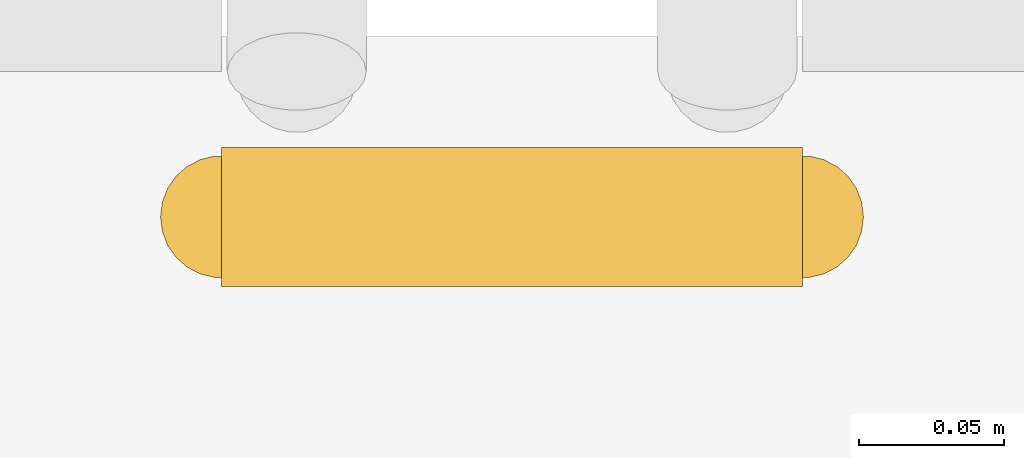
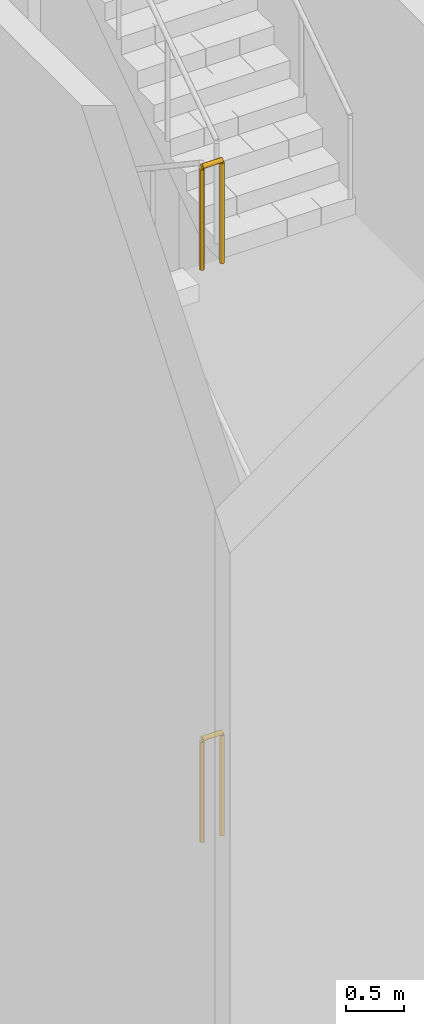
# One storey, part 32 of 52: 2 railings.
"""IFC4 building model written with IfcOpenShell, lengths in metres."""

import ifcopenshell
import ifcopenshell.guid

model = None  # the IFC model being written
_history = None  # IfcOwnerHistory: only IFC2X3 demands one
_inside = {}  # id of a spatial element -> (the spatial element, [elements in it])
_under = {}  # id of a project, library or spatial element -> (it, [spatial elements below it])
_declared = {}  # id of a project -> (the project, [libraries it declares])
_typed = {}  # id of a type object -> (the type object, [elements of that type])
_made_of = {}  # id of a material, layer set ... -> (it, [elements and type objects made of it])


def new_model(schema):
    """Start an empty IFC model of exactly this schema.

    Asked for "IFC4X3", IfcOpenShell would pick the latest addendum, in which some entities
    have other attributes; the version numbers below select the first issue.
    IFC2X3 requires an IfcOwnerHistory on every rooted entity: one is made here for all.
    """
    global model, _history
    if schema == "IFC4X3":
        model = ifcopenshell.file(schema_version=(4, 3, 0, 0))
    else:
        model = ifcopenshell.file(schema=schema)
    _inside.clear()
    _under.clear()
    _declared.clear()
    _typed.clear()
    _made_of.clear()
    _history = None
    if model.schema == "IFC2X3":
        org = make("IfcOrganization", Name="unknown")
        user = make(
            "IfcPersonAndOrganization",
            ThePerson=make("IfcPerson", FamilyName="unknown"),
            TheOrganization=org,
        )
        app = make(
            "IfcApplication",
            ApplicationDeveloper=org,
            Version="unknown",
            ApplicationFullName="unknown",
            ApplicationIdentifier="unknown",
        )
        _history = make(
            "IfcOwnerHistory",
            OwningUser=user,
            OwningApplication=app,
            ChangeAction="ADDED",
            CreationDate=0,
        )
    return model


def make(cls, **values):
    """One entity of the class cls with the attributes given. An attribute that is None is left unset."""
    return model.create_entity(
        cls, **{name: value for name, value in values.items() if value is not None}
    )


def rooted(cls, **values):
    """An entity with a GlobalId (a new one), such as an element, a storey or a relation."""
    return make(cls, GlobalId=ifcopenshell.guid.new(), OwnerHistory=_history, **values)


def si_unit(unit_type, name, prefix=None):
    """IfcSIUnit, for example si_unit("LENGTHUNIT", "METRE", prefix="MILLI")."""
    return make("IfcSIUnit", UnitType=unit_type, Prefix=prefix, Name=name)


def assignment(units):
    """IfcUnitAssignment: the units of a project."""
    return None if units is None else make("IfcUnitAssignment", Units=units)


def point(xyz):
    """IfcCartesianPoint."""
    return None if xyz is None else make("IfcCartesianPoint", Coordinates=xyz)


def direction(xyz):
    """IfcDirection."""
    return None if xyz is None else make("IfcDirection", DirectionRatios=xyz)


def frame(location, z_axis=None, x_axis=None):
    """IfcAxis2Placement3D, a coordinate frame: its origin and axes. An axis left out is left unset."""
    return make(
        "IfcAxis2Placement3D",
        Location=point(location),
        Axis=direction(z_axis),
        RefDirection=direction(x_axis),
    )


def frame_2d(location, x_axis=None):
    """IfcAxis2Placement2D, a coordinate frame in the plane: its origin and x axis."""
    return make(
        "IfcAxis2Placement2D", Location=point(location), RefDirection=direction(x_axis)
    )


def origin():
    """The frame at (0, 0, 0) with its axes left unset."""
    return frame((0.0, 0.0, 0.0))


def origin_2d():
    """The frame at (0, 0) in the plane with its x axis left unset."""
    return frame_2d((0.0, 0.0))


def place(relative_to, where):
    """IfcLocalPlacement: puts the frame where relative to a parent placement (None: the world)."""
    return make(
        "IfcLocalPlacement", PlacementRelTo=relative_to, RelativePlacement=where
    )


def context(
    kind, dimensions, precision=None, world=None, true_north=None, identifier=None
):
    """IfcGeometricRepresentationContext, for example the 3D "Model" context."""
    return make(
        "IfcGeometricRepresentationContext",
        ContextIdentifier=identifier,
        ContextType=kind,
        CoordinateSpaceDimension=dimensions,
        Precision=precision,
        WorldCoordinateSystem=world,
        TrueNorth=true_north,
    )


def subcontext(parent, identifier, kind, view, scale=None):
    """IfcGeometricRepresentationSubContext, for example "Body" below "Model"."""
    return make(
        "IfcGeometricRepresentationSubContext",
        ContextIdentifier=identifier,
        ContextType=kind,
        ParentContext=parent,
        TargetScale=scale,
        TargetView=view,
    )


def project(units=None, contexts=None):
    """IfcProject with its units and contexts."""
    return rooted(
        "IfcProject",
        Name="project",
        RepresentationContexts=contexts,
        UnitsInContext=assignment(units),
    )


def spatial(cls, under=None, at=None, **own):
    """A site, building, storey or space (cls), placed at a placement, below another one or the project."""
    s = rooted(cls, ObjectPlacement=at, **own)
    if under is not None:
        _under.setdefault(under.id(), (under, []))[1].append(s)
    return s


def profile(cls, at=None, kind="AREA", **sizes):
    """A parametric profile (cls). Its sizes go by their IFC names, for example OverallWidth=200.0."""
    return make(cls, ProfileType=kind, Position=at, **sizes)


def circle(**sizes):
    """IfcCircleProfileDef."""
    return profile("IfcCircleProfileDef", **sizes)


def extrude(swept, where, along, depth):
    """IfcExtrudedAreaSolid: the profile swept, set in the frame where, extruded along a direction by depth."""
    return make(
        "IfcExtrudedAreaSolid",
        SweptArea=swept,
        Position=where,
        ExtrudedDirection=direction(along),
        Depth=depth,
    )


def shape(context_of_items, identifier, shape_type, items):
    """IfcShapeRepresentation: the items that make up one representation, for example the "Body"."""
    return make(
        "IfcShapeRepresentation",
        ContextOfItems=context_of_items,
        RepresentationIdentifier=identifier,
        RepresentationType=shape_type,
        Items=items,
    )


def material(Name=None, Category=None):
    """IfcMaterial."""
    return make("IfcMaterial", Name=Name, Category=Category)


def made_of(thing, what):
    """Note that an element or type object is made of a material, layer set ...; save() writes the relation."""
    if what is not None:
        _made_of.setdefault(what.id(), (what, []))[1].append(thing)
    return thing


def type_object(cls, material=None, **own):
    """A type object (cls), such as IfcWallType, which elements share."""
    return made_of(rooted(cls, **own), material)


def element(
    cls,
    number,
    at=None,
    inside=None,
    cuts=None,
    type_object=None,
    material=None,
    context=None,
    identifier="Body",
    shape_type=None,
    held_by="IfcProductDefinitionShape",
    body=None,
    shapes=None,
    **own,
):
    """One element of the class cls, such as IfcWall. Its Tag is "e" and its number.

    at: its placement. inside: the storey or other place that contains it. cuts: it is an
    opening in that element (IfcRelVoidsElement). A single representation is given by context,
    identifier, shape_type and body (its items); several are given by shapes. held_by: the class
    of the entity that holds the representations. save() writes the other relations.
    """
    e = rooted(cls, Tag="e%d" % number, ObjectPlacement=at, **own)
    if body is not None:
        shapes = [shape(context, identifier, shape_type, body)]
    if shapes is not None:
        e.Representation = make(held_by, Representations=shapes)
    if inside is not None:
        _inside.setdefault(inside.id(), (inside, []))[1].append(e)
    if cuts is not None:
        rooted(
            "IfcRelVoidsElement", RelatingBuildingElement=cuts, RelatedOpeningElement=e
        )
    if type_object is not None:
        _typed.setdefault(type_object.id(), (type_object, []))[1].append(e)
    return made_of(e, material)


def aggregate(whole, parts):
    """IfcRelAggregates: a whole, such as a stair, and the parts it consists of."""
    return rooted("IfcRelAggregates", RelatingObject=whole, RelatedObjects=parts)


def save(model, path):
    """Write the relations noted so far, then the file.

    IfcRelAggregates (storeys below a building ...), IfcRelContainedInSpatialStructure (elements
    in a storey), IfcRelDefinesByType, IfcRelAssociatesMaterial and IfcRelDeclares: one each for
    every whole, place, type object, material and project.
    """
    for whole, parts in _under.values():
        aggregate(whole, parts)
    for where, things in _inside.values():
        rooted(
            "IfcRelContainedInSpatialStructure",
            RelatedElements=things,
            RelatingStructure=where,
        )
    for kind, things in _typed.values():
        rooted("IfcRelDefinesByType", RelatedObjects=things, RelatingType=kind)
    for what, things in _made_of.values():
        rooted("IfcRelAssociatesMaterial", RelatedObjects=things, RelatingMaterial=what)
    for by, libraries in _declared.values():
        rooted("IfcRelDeclares", RelatingContext=by, RelatedDefinitions=libraries)
    model.write(path)


model = new_model("IFC4")

# Units and contexts
model_context = context("Model", 3, precision=1e-05, world=origin(), true_north=direction((0.0, 1.0)))
body_context = subcontext(model_context, "Body", "Model", "MODEL_VIEW")
ifc_project = project(units=[si_unit("LENGTHUNIT", "METRE"), si_unit("AREAUNIT", "SQUARE_METRE"), si_unit("VOLUMEUNIT", "CUBIC_METRE"), si_unit("PLANEANGLEUNIT", "RADIAN"), si_unit("MASSUNIT", "GRAM", prefix="KILO")], contexts=[model_context])

# Site, building, storey
site_placement = place(None, origin())
site = spatial("IfcSite", under=ifc_project, at=site_placement, CompositionType="ELEMENT")
building_placement = place(site_placement, origin())
building = spatial("IfcBuilding", under=site, at=building_placement, Name="Cantera Rosa Tower", CompositionType="ELEMENT")
storey_placement = place(building_placement, origin())
storey = spatial("IfcBuildingStorey", under=building, at=storey_placement, Name="L00", CompositionType="ELEMENT", Elevation=0.0)

# Railings
ifc_material = material(Name="Steel S355J2 (EN 10025-2)", Category="steel")
railing_type = type_object("IfcRailingType", Name="STAIR GUARD 1100", PredefinedType="GUARDRAIL", material=ifc_material)
for number, where, name in (
    (1, (30.625, -25.375, 3.0), "L00 ST-SE stair guard 2"),
    (2, (30.625, -25.375, 9.0), "L00 ST-SE stair guard 6"),
):
    element("IfcRailing", number, at=place(storey_placement, frame(where)), inside=storey, type_object=railing_type, Name=name, PredefinedType="GUARDRAIL", context=body_context, shape_type="SweptSolid", body=[
        extrude(circle(Radius=0.02392578125, at=origin_2d()), frame((0.0, 0.0, 1.076171875), z_axis=(1.0, 0.0, 0.0), x_axis=(0.0, 1.0, 0.0)), (0.0, 0.0, 1.0), 0.199951171875),
        extrude(circle(Radius=0.02099609375, at=origin_2d()), origin(), (0.0, 0.0, 1.0), 1.052001953125),
        extrude(circle(Radius=0.02099609375, at=origin_2d()), frame((0.199951171875, 0.0, 0.0)), (0.0, 0.0, 1.0), 1.052001953125),
    ])

save(model, "model.ifc")
